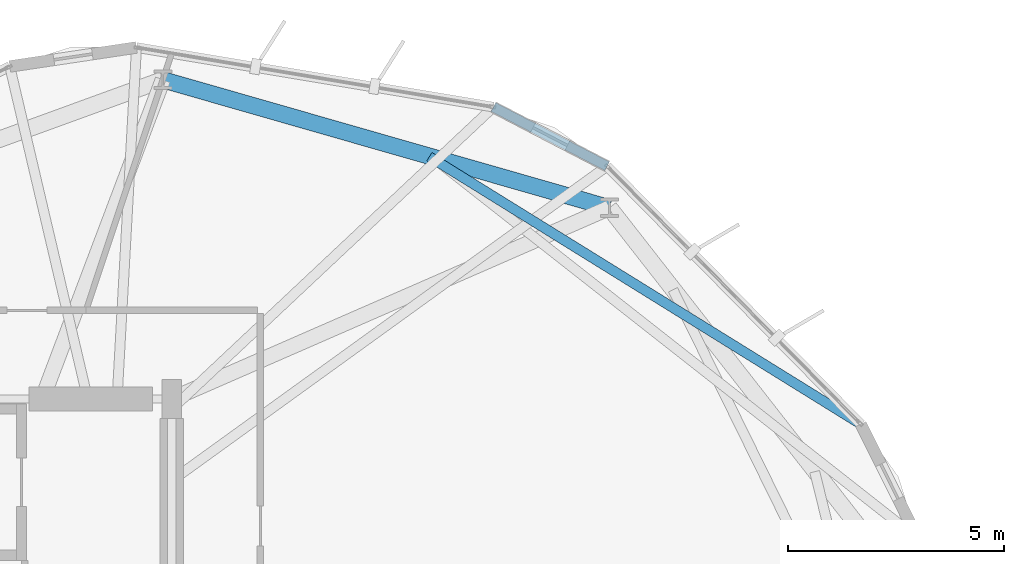
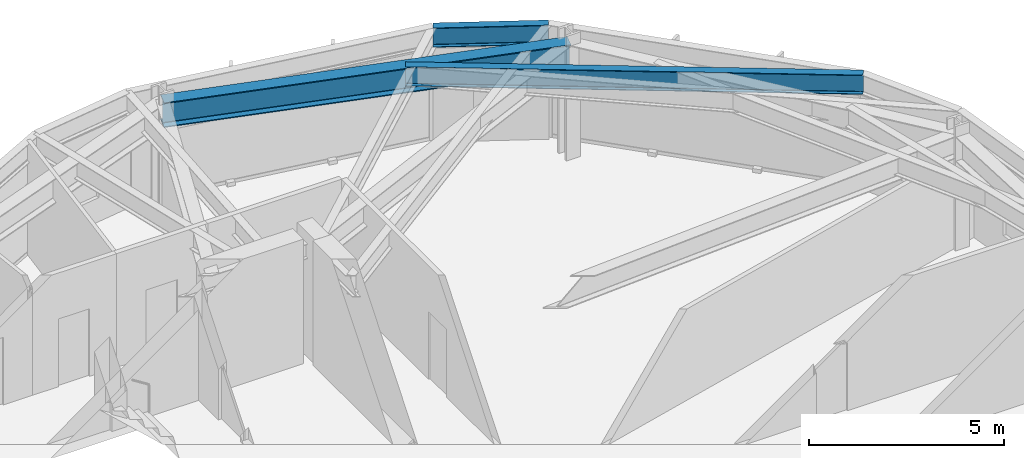
# One storey, part 14 of 22: 3 beams.
"""IFC4 building model written with IfcOpenShell, lengths in metres."""

from ifc_helpers import new_model, si_unit, direction, frame, origin, origin_2d, place, context, subcontext, project, spatial, i_section, extrude, material, material_profile, profile_set, type_object, element, save


model = new_model("IFC4")

# Units and contexts
model_context = context("Model", 3, precision=1e-05, world=origin(), true_north=direction((0.0, 1.0)))
body_context = subcontext(model_context, "Body", "Model", "MODEL_VIEW")
ifc_project = project(units=[si_unit("LENGTHUNIT", "METRE"), si_unit("AREAUNIT", "SQUARE_METRE"), si_unit("VOLUMEUNIT", "CUBIC_METRE"), si_unit("PLANEANGLEUNIT", "RADIAN"), si_unit("MASSUNIT", "GRAM", prefix="KILO")], contexts=[model_context])

# Site, building, storey
site_placement = place(None, origin())
site = spatial("IfcSite", under=ifc_project, at=site_placement, CompositionType="ELEMENT")
building_placement = place(site_placement, origin())
building = spatial("IfcBuilding", under=site, at=building_placement, Name="Soratama Intermodal Tower", CompositionType="ELEMENT")
storey_placement = place(building_placement, frame((0.0, 0.0, 130.300048828125)))
storey = spatial("IfcBuildingStorey", under=building, at=storey_placement, Name="L31", CompositionType="ELEMENT", Elevation=130.300048828125)

# Beams
ifc_material_1 = material(Name="Structural steel ASTM A992 Grade 50", Category="steel")
ifc_material_profile_1 = material_profile(ifc_material_1, i_section(OverallWidth=0.382080078125, OverallDepth=0.779052734375, WebThickness=0.01806640625, FlangeThickness=0.030029296875, FilletRadius=0.01806640625, at=origin_2d()), Name="W30X191")
ifc_profile_set_1 = profile_set([ifc_material_profile_1], Name="Structural steel ASTM A992 Grade 50")
beam_type_1 = type_object("IfcBeamType", Name="BM-RING-W30X191", PredefinedType="BEAM", material=ifc_profile_set_1)
beam_1_placement = place(storey_placement, frame((54.72998046875, 39.425048828125, 3.17041015625), z_axis=(-0.961266505995, 0.275620580604, 0.0), x_axis=(-0.275620580604, -0.961266505995, 0.0)))
element("IfcBeam", 1, at=beam_1_placement, inside=storey, type_object=beam_type_1, Name="BM-L31-RING-02", PredefinedType="BEAM", context=body_context, shape_type="SweptSolid", body=[
    extrude(i_section(OverallWidth=0.382080078125, OverallDepth=0.779052734375, WebThickness=0.01806640625, FlangeThickness=0.030029296875, FilletRadius=0.01806640625, at=origin_2d()), origin(), (0.0, 0.0, 1.0), 10.75341796875),
])
ifc_material_2 = material(Name="Structural steel ASTM A992 Grade 50", Category="steel")
ifc_material_profile_2 = material_profile(ifc_material_2, i_section(OverallWidth=0.22900390625, OverallDepth=0.612060546875, WebThickness=0.011962890625, FlangeThickness=0.01953125, FilletRadius=0.012939453125, at=origin_2d()), Name="W24X84")
ifc_profile_set_2 = profile_set([ifc_material_profile_2], Name="Structural steel ASTM A992 Grade 50")
beam_type_2 = type_object("IfcBeamType", Name="BM-SPN-W24X84", PredefinedType="SPANDREL", material=ifc_profile_set_2)
beam_2_placement = place(storey_placement, frame((54.676025390625, 40.388916015625, 3.25390625), z_axis=(-0.887153470033, 0.461474506998, 0.0), x_axis=(-0.461474506998, -0.887153470033, 0.0)))
element("IfcBeam", 2, at=beam_2_placement, inside=storey, type_object=beam_type_2, Name="BS-L31-CRN01", PredefinedType="SPANDREL", context=body_context, shape_type="SweptSolid", body=[
    extrude(i_section(OverallWidth=0.22900390625, OverallDepth=0.612060546875, WebThickness=0.011962890625, FlangeThickness=0.01953125, FilletRadius=0.012939453125, at=origin_2d()), origin(), (0.0, 0.0, 1.0), 2.966796875),
])
ifc_material_3 = material(Name="Structural steel ASTM A992 Grade 50", Category="steel")
ifc_material_profile_3 = material_profile(ifc_material_3, i_section(OverallWidth=0.22900390625, OverallDepth=0.612060546875, WebThickness=0.011962890625, FlangeThickness=0.01953125, FilletRadius=0.012939453125, at=origin_2d()), Name="W24X84")
ifc_profile_set_3 = profile_set([ifc_material_profile_3], Name="Structural steel ASTM A992 Grade 50")
beam_type_3 = type_object("IfcBeamType", Name="BM-TIE-W24X84", PredefinedType="BEAM", material=ifc_profile_set_3)
beam_3_placement = place(storey_placement, frame((50.56298828125, 40.60888671875, 3.25390625), z_axis=(0.849882777599, -0.526971787044, 0.0), x_axis=(0.526971787044, 0.849882777599, 0.0)))
element("IfcBeam", 3, at=beam_3_placement, inside=storey, type_object=beam_type_3, Name="BM-L31-TIE0-01", PredefinedType="BEAM", context=body_context, shape_type="SweptSolid", body=[
    extrude(i_section(OverallWidth=0.22900390625, OverallDepth=0.612060546875, WebThickness=0.011962890625, FlangeThickness=0.01953125, FilletRadius=0.012939453125, at=origin_2d()), origin(), (0.0, 0.0, 1.0), 11.75),
])

save(model, "model.ifc")
